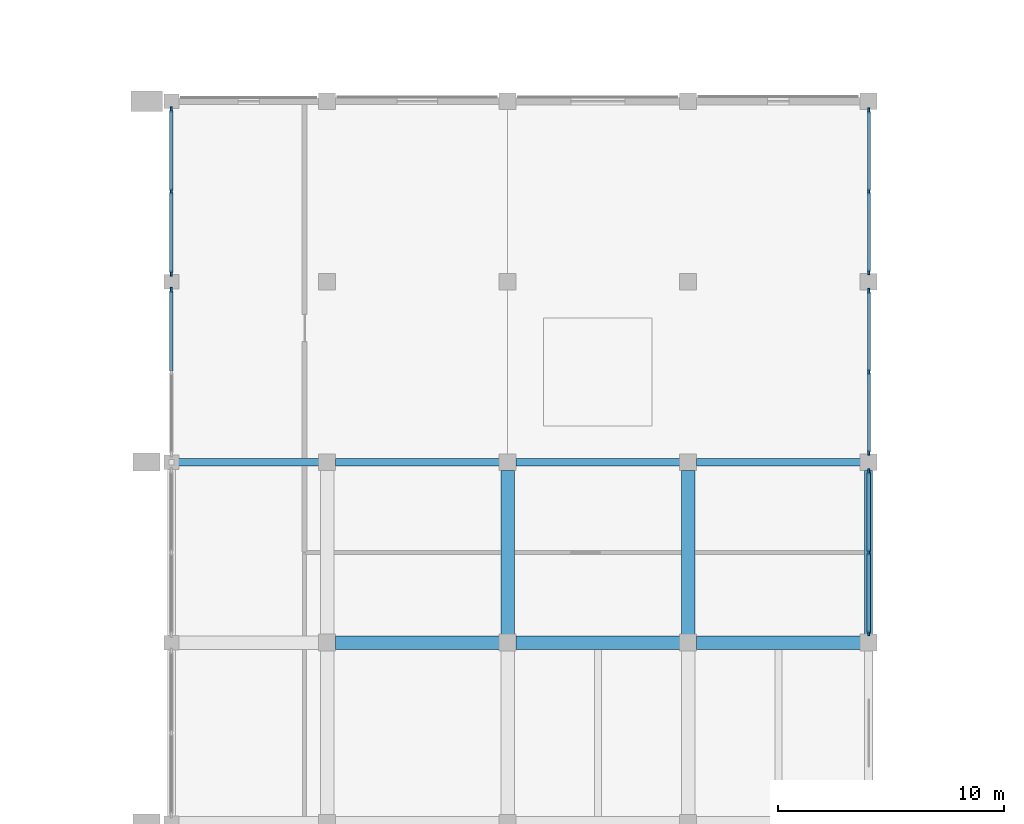
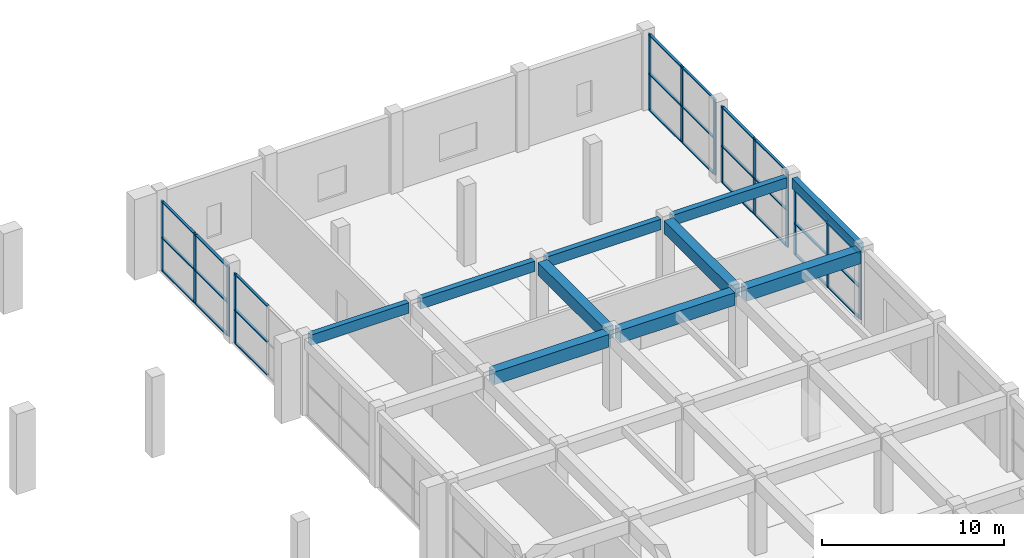
# One storey, part 41 of 86: 40 members, 10 beams, 5 elements without a shape of their own.
"""IFC4 building model written with IfcOpenShell, lengths in metres."""

from ifc_helpers import new_model, si_unit, direction, frame, origin, origin_2d, place, context, subcontext, project, spatial, rectangle, extrude, material, material_profile, profile_set, type_object, element, aggregate, save


model = new_model("IFC4")

# Units and contexts
model_context = context("Model", 3, precision=1e-05, world=origin(), true_north=direction((0.0, 1.0)))
body_context = subcontext(model_context, "Body", "Model", "MODEL_VIEW")
ifc_project = project(units=[si_unit("LENGTHUNIT", "METRE"), si_unit("AREAUNIT", "SQUARE_METRE"), si_unit("VOLUMEUNIT", "CUBIC_METRE"), si_unit("PLANEANGLEUNIT", "RADIAN"), si_unit("MASSUNIT", "GRAM", prefix="KILO")], contexts=[model_context])

# Site, building, storey
site_placement = place(None, origin())
site = spatial("IfcSite", under=ifc_project, at=site_placement, CompositionType="ELEMENT")
building_placement = place(site_placement, origin())
building = spatial("IfcBuilding", under=site, at=building_placement, Name="Kenh Van Central Station", CompositionType="ELEMENT")
storey_placement = place(building_placement, origin())
storey = spatial("IfcBuildingStorey", under=building, at=storey_placement, Name="L00", CompositionType="ELEMENT", Elevation=0.0)

# Beams
ifc_material_1 = material(Name="Concrete C35/45", Category="concrete")
ifc_material_profile_1 = material_profile(ifc_material_1, rectangle(XDim=0.60009765625, YDim=0.85009765625, at=origin_2d()), Name="RC 600x850")
ifc_profile_set_1 = profile_set([ifc_material_profile_1], Name="Concrete C35/45")
beam_type_1 = type_object("IfcBeamType", Name="BM-RC-600x850", PredefinedType="BEAM", material=ifc_profile_set_1)
for number, where, z_axis, x_axis, name in (
    (1, (152.364990234375, 88.0, 4.695068359375), (1.0, 0.0, 0.0), (0.0, 1.0, 0.0), "L00 beam 0459"),
    (2, (160.364990234375, 88.0, 4.695068359375), (1.0, 0.0, 0.0), (0.0, 1.0, 0.0), "L00 beam 0460"),
    (3, (168.364990234375, 88.0, 4.695068359375), (1.0, 0.0, 0.0), (0.0, 1.0, 0.0), "L00 beam 0461"),
    (4, (160.0, 88.364990234375, 4.695068359375), (0.0, 1.0, 0.0), (-1.0, 0.0, 0.0), "L00 beam 0565"),
    (5, (168.0, 88.364990234375, 4.695068359375), (0.0, 1.0, 0.0), (-1.0, 0.0, 0.0), "L00 beam 0576"),
):
    element("IfcBeam", number, at=place(storey_placement, frame(where, z_axis=z_axis, x_axis=x_axis)), inside=storey, type_object=beam_type_1, Name=name, PredefinedType="BEAM", context=body_context, shape_type="SweptSolid", body=[
        extrude(rectangle(XDim=0.60009765625, YDim=0.85009765625, at=origin_2d()), origin(), (0.0, 0.0, 1.0), 7.27001953125),
    ])

# Curtain wall, members
ifc_material_2 = material(Name="Champagne anodised aluminium", Category="aluminium")
curtain_wall_type_1 = type_object("IfcCurtainWallType", Name="CW-OPER-A", PredefinedType="NOTDEFINED", material=ifc_material_2)
curtain_wall_1_placement = place(storey_placement, origin())
curtain_wall_1 = element("IfcCurtainWall", 6, at=curtain_wall_1_placement, inside=storey, type_object=curtain_wall_type_1, Name="L00 curtain wall 060", PredefinedType="NOTDEFINED")
ifc_material_profile_2 = material_profile(ifc_material_2, rectangle(XDim=0.087890625, YDim=0.239990234375, at=origin_2d()), Name="AL 88x240")
ifc_profile_set_2 = profile_set([ifc_material_profile_2], Name="Champagne anodised aluminium")
member_type_1 = type_object("IfcMemberType", Name="CWM-60x140", PredefinedType="MULLION", material=ifc_profile_set_2)
member_1_placement = place(storey_placement, frame((176.0, 88.4189453125, 0.0), z_axis=(0.0, 0.0, 1.0), x_axis=(-1.0, 0.0, 0.0)))
member_1 = element("IfcMember", 7, at=member_1_placement, type_object=member_type_1, Name="CW-07 mullion 1", PredefinedType="MULLION", context=body_context, shape_type="SweptSolid", body=[
    extrude(rectangle(XDim=0.087890625, YDim=0.239990234375, at=origin_2d()), origin(), (0.0, 0.0, 1.0), 4.419921875),
])
member_2_placement = place(storey_placement, frame((176.0, 92.0, 0.0), z_axis=(0.0, 0.0, 1.0), x_axis=(-1.0, 0.0, 0.0)))
member_2 = element("IfcMember", 8, at=member_2_placement, type_object=member_type_1, Name="CW-07 mullion 2", PredefinedType="MULLION", context=body_context, shape_type="SweptSolid", body=[
    extrude(rectangle(XDim=0.087890625, YDim=0.239990234375, at=origin_2d()), origin(), (0.0, 0.0, 1.0), 4.419921875),
])
member_3_placement = place(storey_placement, frame((176.0, 95.5810546875, 0.0), z_axis=(0.0, 0.0, 1.0), x_axis=(-1.0, 0.0, 0.0)))
member_3 = element("IfcMember", 9, at=member_3_placement, type_object=member_type_1, Name="CW-07 mullion 3", PredefinedType="MULLION", context=body_context, shape_type="SweptSolid", body=[
    extrude(rectangle(XDim=0.087890625, YDim=0.239990234375, at=origin_2d()), origin(), (0.0, 0.0, 1.0), 4.419921875),
])

curtain_wall_2_placement = place(storey_placement, origin())
curtain_wall_2 = element("IfcCurtainWall", 10, at=curtain_wall_2_placement, inside=storey, type_object=curtain_wall_type_1, Name="L00 curtain wall 061", PredefinedType="NOTDEFINED")
member_4_placement = place(storey_placement, frame((176.0, 96.4189453125, 0.0), z_axis=(0.0, 0.0, 1.0), x_axis=(-1.0, 0.0, 0.0)))
member_4 = element("IfcMember", 11, at=member_4_placement, type_object=member_type_1, Name="CW-07 mullion 1", PredefinedType="MULLION", context=body_context, shape_type="SweptSolid", body=[
    extrude(rectangle(XDim=0.087890625, YDim=0.239990234375, at=origin_2d()), origin(), (0.0, 0.0, 1.0), 5.10009765625),
])
member_5_placement = place(storey_placement, frame((176.0, 100.0, 0.0), z_axis=(0.0, 0.0, 1.0), x_axis=(-1.0, 0.0, 0.0)))
member_5 = element("IfcMember", 12, at=member_5_placement, type_object=member_type_1, Name="CW-07 mullion 2", PredefinedType="MULLION", context=body_context, shape_type="SweptSolid", body=[
    extrude(rectangle(XDim=0.087890625, YDim=0.239990234375, at=origin_2d()), origin(), (0.0, 0.0, 1.0), 5.10009765625),
])
member_6_placement = place(storey_placement, frame((176.0, 103.5810546875, 0.0), z_axis=(0.0, 0.0, 1.0), x_axis=(-1.0, 0.0, 0.0)))
member_6 = element("IfcMember", 13, at=member_6_placement, type_object=member_type_1, Name="CW-07 mullion 3", PredefinedType="MULLION", context=body_context, shape_type="SweptSolid", body=[
    extrude(rectangle(XDim=0.087890625, YDim=0.239990234375, at=origin_2d()), origin(), (0.0, 0.0, 1.0), 5.10009765625),
])

curtain_wall_3_placement = place(storey_placement, origin())
curtain_wall_3 = element("IfcCurtainWall", 14, at=curtain_wall_3_placement, inside=storey, type_object=curtain_wall_type_1, Name="L00 curtain wall 062", PredefinedType="NOTDEFINED")
member_7_placement = place(storey_placement, frame((176.0, 104.4189453125, 0.0), z_axis=(0.0, 0.0, 1.0), x_axis=(-1.0, 0.0, 0.0)))
member_7 = element("IfcMember", 15, at=member_7_placement, type_object=member_type_1, Name="CW-07 mullion 1", PredefinedType="MULLION", context=body_context, shape_type="SweptSolid", body=[
    extrude(rectangle(XDim=0.087890625, YDim=0.239990234375, at=origin_2d()), origin(), (0.0, 0.0, 1.0), 5.10009765625),
])
member_8_placement = place(storey_placement, frame((176.0, 108.0, 0.0), z_axis=(0.0, 0.0, 1.0), x_axis=(-1.0, 0.0, 0.0)))
member_8 = element("IfcMember", 16, at=member_8_placement, type_object=member_type_1, Name="CW-07 mullion 2", PredefinedType="MULLION", context=body_context, shape_type="SweptSolid", body=[
    extrude(rectangle(XDim=0.087890625, YDim=0.239990234375, at=origin_2d()), origin(), (0.0, 0.0, 1.0), 5.10009765625),
])
member_9_placement = place(storey_placement, frame((176.0, 111.5810546875, 0.0), z_axis=(0.0, 0.0, 1.0), x_axis=(-1.0, 0.0, 0.0)))
member_9 = element("IfcMember", 17, at=member_9_placement, type_object=member_type_1, Name="CW-07 mullion 3", PredefinedType="MULLION", context=body_context, shape_type="SweptSolid", body=[
    extrude(rectangle(XDim=0.087890625, YDim=0.239990234375, at=origin_2d()), origin(), (0.0, 0.0, 1.0), 5.10009765625),
])

curtain_wall_type_2 = type_object("IfcCurtainWallType", Name="CW-OPER-B", PredefinedType="NOTDEFINED", material=ifc_material_2)
curtain_wall_4_placement = place(storey_placement, origin())
curtain_wall_4 = element("IfcCurtainWall", 18, at=curtain_wall_4_placement, inside=storey, type_object=curtain_wall_type_2, Name="L00 curtain wall 063", PredefinedType="NOTDEFINED")
member_10_placement = place(storey_placement, frame((145.10009765625, 111.631103515625, 0.0), z_axis=(0.0, 0.0, 1.0), x_axis=(1.0, 0.0, 0.0)))
member_10 = element("IfcMember", 19, at=member_10_placement, type_object=member_type_1, Name="CW-08 mullion 1", PredefinedType="MULLION", context=body_context, shape_type="SweptSolid", body=[
    extrude(rectangle(XDim=0.087890625, YDim=0.239990234375, at=origin_2d()), origin(), (0.0, 0.0, 1.0), 4.67529296875),
])
member_11_placement = place(storey_placement, frame((145.10009765625, 108.0, 0.0), z_axis=(0.0, 0.0, 1.0), x_axis=(1.0, 0.0, 0.0)))
member_11 = element("IfcMember", 20, at=member_11_placement, type_object=member_type_1, Name="CW-08 mullion 2", PredefinedType="MULLION", context=body_context, shape_type="SweptSolid", body=[
    extrude(rectangle(XDim=0.087890625, YDim=0.239990234375, at=origin_2d()), origin(), (0.0, 0.0, 1.0), 4.67529296875),
])
member_12_placement = place(storey_placement, frame((145.10009765625, 104.368896484375, 0.0), z_axis=(0.0, 0.0, 1.0), x_axis=(1.0, 0.0, 0.0)))
member_12 = element("IfcMember", 21, at=member_12_placement, type_object=member_type_1, Name="CW-08 mullion 3", PredefinedType="MULLION", context=body_context, shape_type="SweptSolid", body=[
    extrude(rectangle(XDim=0.087890625, YDim=0.239990234375, at=origin_2d()), origin(), (0.0, 0.0, 1.0), 4.67529296875),
])

# Curtain wall, member
curtain_wall_5_placement = place(storey_placement, origin())
curtain_wall_5 = element("IfcCurtainWall", 22, at=curtain_wall_5_placement, inside=storey, type_object=curtain_wall_type_2, Name="L00 curtain wall 064", PredefinedType="NOTDEFINED")
member_13_placement = place(storey_placement, frame((145.10009765625, 103.631103515625, 0.0), z_axis=(0.0, 0.0, 1.0), x_axis=(1.0, 0.0, 0.0)))
member_13 = element("IfcMember", 23, at=member_13_placement, type_object=member_type_1, Name="CW-08 mullion 1", PredefinedType="MULLION", context=body_context, shape_type="SweptSolid", body=[
    extrude(rectangle(XDim=0.087890625, YDim=0.239990234375, at=origin_2d()), origin(), (0.0, 0.0, 1.0), 4.67529296875),
])

# Member
ifc_material_profile_3 = material_profile(ifc_material_2, rectangle(XDim=0.155029296875, YDim=0.072021484375, at=origin_2d()), Name="AL 155x72")
ifc_profile_set_3 = profile_set([ifc_material_profile_3], Name="Champagne anodised aluminium")
member_type_2 = type_object("IfcMemberType", Name="CWT-120x60", PredefinedType="USERDEFINED", material=ifc_profile_set_3)
member_14_placement = place(storey_placement, frame((176.0, 88.462890625, 0.035888671875), z_axis=(0.0, 1.0, 0.0), x_axis=(-1.0, 0.0, 0.0)))
member_14 = element("IfcMember", 24, at=member_14_placement, type_object=member_type_2, Name="CW-07 transom 1.1", ObjectType="TRANSOM", PredefinedType="USERDEFINED", context=body_context, shape_type="SweptSolid", body=[
    extrude(rectangle(XDim=0.155029296875, YDim=0.072021484375, at=origin_2d()), origin(), (0.0, 0.0, 1.0), 3.4931640625),
])

member_15_placement = place(storey_placement, frame((176.0, 88.462890625, 2.12158203125), z_axis=(0.0, 1.0, 0.0), x_axis=(-1.0, 0.0, 0.0)))
member_15 = element("IfcMember", 25, at=member_15_placement, type_object=member_type_2, Name="CW-07 transom 1.2", ObjectType="TRANSOM", PredefinedType="USERDEFINED", context=body_context, shape_type="SweptSolid", body=[
    extrude(rectangle(XDim=0.155029296875, YDim=0.072021484375, at=origin_2d()), origin(), (0.0, 0.0, 1.0), 3.4931640625),
])

member_16_placement = place(storey_placement, frame((176.0, 88.462890625, 4.384033203125), z_axis=(0.0, 1.0, 0.0), x_axis=(-1.0, 0.0, 0.0)))
member_16 = element("IfcMember", 26, at=member_16_placement, type_object=member_type_2, Name="CW-07 transom 1.3", ObjectType="TRANSOM", PredefinedType="USERDEFINED", context=body_context, shape_type="SweptSolid", body=[
    extrude(rectangle(XDim=0.155029296875, YDim=0.072021484375, at=origin_2d()), origin(), (0.0, 0.0, 1.0), 3.4931640625),
])

member_17_placement = place(storey_placement, frame((176.0, 92.0439453125, 0.035888671875), z_axis=(0.0, 1.0, 0.0), x_axis=(-1.0, 0.0, 0.0)))
member_17 = element("IfcMember", 27, at=member_17_placement, type_object=member_type_2, Name="CW-07 transom 2.1", ObjectType="TRANSOM", PredefinedType="USERDEFINED", context=body_context, shape_type="SweptSolid", body=[
    extrude(rectangle(XDim=0.155029296875, YDim=0.072021484375, at=origin_2d()), origin(), (0.0, 0.0, 1.0), 3.4931640625),
])

member_18_placement = place(storey_placement, frame((176.0, 92.0439453125, 2.12158203125), z_axis=(0.0, 1.0, 0.0), x_axis=(-1.0, 0.0, 0.0)))
member_18 = element("IfcMember", 28, at=member_18_placement, type_object=member_type_2, Name="CW-07 transom 2.2", ObjectType="TRANSOM", PredefinedType="USERDEFINED", context=body_context, shape_type="SweptSolid", body=[
    extrude(rectangle(XDim=0.155029296875, YDim=0.072021484375, at=origin_2d()), origin(), (0.0, 0.0, 1.0), 3.4931640625),
])

member_19_placement = place(storey_placement, frame((176.0, 92.0439453125, 4.384033203125), z_axis=(0.0, 1.0, 0.0), x_axis=(-1.0, 0.0, 0.0)))
member_19 = element("IfcMember", 29, at=member_19_placement, type_object=member_type_2, Name="CW-07 transom 2.3", ObjectType="TRANSOM", PredefinedType="USERDEFINED", context=body_context, shape_type="SweptSolid", body=[
    extrude(rectangle(XDim=0.155029296875, YDim=0.072021484375, at=origin_2d()), origin(), (0.0, 0.0, 1.0), 3.4931640625),
])

aggregate(curtain_wall_1, [member_1, member_2, member_3, member_14, member_15, member_16, member_17, member_18, member_19])

member_20_placement = place(storey_placement, frame((176.0, 96.462890625, 0.035888671875), z_axis=(0.0, 1.0, 0.0), x_axis=(-1.0, 0.0, 0.0)))
member_20 = element("IfcMember", 30, at=member_20_placement, type_object=member_type_2, Name="CW-07 transom 1.1", ObjectType="TRANSOM", PredefinedType="USERDEFINED", context=body_context, shape_type="SweptSolid", body=[
    extrude(rectangle(XDim=0.155029296875, YDim=0.072021484375, at=origin_2d()), origin(), (0.0, 0.0, 1.0), 3.4931640625),
])

member_21_placement = place(storey_placement, frame((176.0, 96.462890625, 2.447998046875), z_axis=(0.0, 1.0, 0.0), x_axis=(-1.0, 0.0, 0.0)))
member_21 = element("IfcMember", 31, at=member_21_placement, type_object=member_type_2, Name="CW-07 transom 1.2", ObjectType="TRANSOM", PredefinedType="USERDEFINED", context=body_context, shape_type="SweptSolid", body=[
    extrude(rectangle(XDim=0.155029296875, YDim=0.072021484375, at=origin_2d()), origin(), (0.0, 0.0, 1.0), 3.4931640625),
])

member_22_placement = place(storey_placement, frame((176.0, 96.462890625, 5.06396484375), z_axis=(0.0, 1.0, 0.0), x_axis=(-1.0, 0.0, 0.0)))
member_22 = element("IfcMember", 32, at=member_22_placement, type_object=member_type_2, Name="CW-07 transom 1.3", ObjectType="TRANSOM", PredefinedType="USERDEFINED", context=body_context, shape_type="SweptSolid", body=[
    extrude(rectangle(XDim=0.155029296875, YDim=0.072021484375, at=origin_2d()), origin(), (0.0, 0.0, 1.0), 3.4931640625),
])

member_23_placement = place(storey_placement, frame((176.0, 100.0439453125, 0.035888671875), z_axis=(0.0, 1.0, 0.0), x_axis=(-1.0, 0.0, 0.0)))
member_23 = element("IfcMember", 33, at=member_23_placement, type_object=member_type_2, Name="CW-07 transom 2.1", ObjectType="TRANSOM", PredefinedType="USERDEFINED", context=body_context, shape_type="SweptSolid", body=[
    extrude(rectangle(XDim=0.155029296875, YDim=0.072021484375, at=origin_2d()), origin(), (0.0, 0.0, 1.0), 3.4931640625),
])

member_24_placement = place(storey_placement, frame((176.0, 100.0439453125, 2.447998046875), z_axis=(0.0, 1.0, 0.0), x_axis=(-1.0, 0.0, 0.0)))
member_24 = element("IfcMember", 34, at=member_24_placement, type_object=member_type_2, Name="CW-07 transom 2.2", ObjectType="TRANSOM", PredefinedType="USERDEFINED", context=body_context, shape_type="SweptSolid", body=[
    extrude(rectangle(XDim=0.155029296875, YDim=0.072021484375, at=origin_2d()), origin(), (0.0, 0.0, 1.0), 3.4931640625),
])

member_25_placement = place(storey_placement, frame((176.0, 100.0439453125, 5.06396484375), z_axis=(0.0, 1.0, 0.0), x_axis=(-1.0, 0.0, 0.0)))
member_25 = element("IfcMember", 35, at=member_25_placement, type_object=member_type_2, Name="CW-07 transom 2.3", ObjectType="TRANSOM", PredefinedType="USERDEFINED", context=body_context, shape_type="SweptSolid", body=[
    extrude(rectangle(XDim=0.155029296875, YDim=0.072021484375, at=origin_2d()), origin(), (0.0, 0.0, 1.0), 3.4931640625),
])

aggregate(curtain_wall_2, [member_4, member_5, member_6, member_20, member_21, member_22, member_23, member_24, member_25])

member_26_placement = place(storey_placement, frame((176.0, 104.462890625, 0.035888671875), z_axis=(0.0, 1.0, 0.0), x_axis=(-1.0, 0.0, 0.0)))
member_26 = element("IfcMember", 36, at=member_26_placement, type_object=member_type_2, Name="CW-07 transom 1.1", ObjectType="TRANSOM", PredefinedType="USERDEFINED", context=body_context, shape_type="SweptSolid", body=[
    extrude(rectangle(XDim=0.155029296875, YDim=0.072021484375, at=origin_2d()), origin(), (0.0, 0.0, 1.0), 3.4931640625),
])

member_27_placement = place(storey_placement, frame((176.0, 104.462890625, 2.447998046875), z_axis=(0.0, 1.0, 0.0), x_axis=(-1.0, 0.0, 0.0)))
member_27 = element("IfcMember", 37, at=member_27_placement, type_object=member_type_2, Name="CW-07 transom 1.2", ObjectType="TRANSOM", PredefinedType="USERDEFINED", context=body_context, shape_type="SweptSolid", body=[
    extrude(rectangle(XDim=0.155029296875, YDim=0.072021484375, at=origin_2d()), origin(), (0.0, 0.0, 1.0), 3.4931640625),
])

member_28_placement = place(storey_placement, frame((176.0, 104.462890625, 5.06396484375), z_axis=(0.0, 1.0, 0.0), x_axis=(-1.0, 0.0, 0.0)))
member_28 = element("IfcMember", 38, at=member_28_placement, type_object=member_type_2, Name="CW-07 transom 1.3", ObjectType="TRANSOM", PredefinedType="USERDEFINED", context=body_context, shape_type="SweptSolid", body=[
    extrude(rectangle(XDim=0.155029296875, YDim=0.072021484375, at=origin_2d()), origin(), (0.0, 0.0, 1.0), 3.4931640625),
])

member_29_placement = place(storey_placement, frame((176.0, 108.0439453125, 0.035888671875), z_axis=(0.0, 1.0, 0.0), x_axis=(-1.0, 0.0, 0.0)))
member_29 = element("IfcMember", 39, at=member_29_placement, type_object=member_type_2, Name="CW-07 transom 2.1", ObjectType="TRANSOM", PredefinedType="USERDEFINED", context=body_context, shape_type="SweptSolid", body=[
    extrude(rectangle(XDim=0.155029296875, YDim=0.072021484375, at=origin_2d()), origin(), (0.0, 0.0, 1.0), 3.4931640625),
])

member_30_placement = place(storey_placement, frame((176.0, 108.0439453125, 2.447998046875), z_axis=(0.0, 1.0, 0.0), x_axis=(-1.0, 0.0, 0.0)))
member_30 = element("IfcMember", 40, at=member_30_placement, type_object=member_type_2, Name="CW-07 transom 2.2", ObjectType="TRANSOM", PredefinedType="USERDEFINED", context=body_context, shape_type="SweptSolid", body=[
    extrude(rectangle(XDim=0.155029296875, YDim=0.072021484375, at=origin_2d()), origin(), (0.0, 0.0, 1.0), 3.4931640625),
])

member_31_placement = place(storey_placement, frame((176.0, 108.0439453125, 5.06396484375), z_axis=(0.0, 1.0, 0.0), x_axis=(-1.0, 0.0, 0.0)))
member_31 = element("IfcMember", 41, at=member_31_placement, type_object=member_type_2, Name="CW-07 transom 2.3", ObjectType="TRANSOM", PredefinedType="USERDEFINED", context=body_context, shape_type="SweptSolid", body=[
    extrude(rectangle(XDim=0.155029296875, YDim=0.072021484375, at=origin_2d()), origin(), (0.0, 0.0, 1.0), 3.4931640625),
])

aggregate(curtain_wall_3, [member_7, member_8, member_9, member_26, member_27, member_28, member_29, member_30, member_31])

member_32_placement = place(storey_placement, frame((145.10009765625, 111.5869140625, 0.035888671875), z_axis=(0.0, -1.0, 0.0), x_axis=(1.0, 0.0, 0.0)))
member_32 = element("IfcMember", 42, at=member_32_placement, type_object=member_type_2, Name="CW-08 transom 1.1", ObjectType="TRANSOM", PredefinedType="USERDEFINED", context=body_context, shape_type="SweptSolid", body=[
    extrude(rectangle(XDim=0.155029296875, YDim=0.072021484375, at=origin_2d()), origin(), (0.0, 0.0, 1.0), 3.54296875),
])

member_33_placement = place(storey_placement, frame((145.10009765625, 111.5869140625, 2.244140625), z_axis=(0.0, -1.0, 0.0), x_axis=(1.0, 0.0, 0.0)))
member_33 = element("IfcMember", 43, at=member_33_placement, type_object=member_type_2, Name="CW-08 transom 1.2", ObjectType="TRANSOM", PredefinedType="USERDEFINED", context=body_context, shape_type="SweptSolid", body=[
    extrude(rectangle(XDim=0.155029296875, YDim=0.072021484375, at=origin_2d()), origin(), (0.0, 0.0, 1.0), 3.54296875),
])

member_34_placement = place(storey_placement, frame((145.10009765625, 111.5869140625, 4.63916015625), z_axis=(0.0, -1.0, 0.0), x_axis=(1.0, 0.0, 0.0)))
member_34 = element("IfcMember", 44, at=member_34_placement, type_object=member_type_2, Name="CW-08 transom 1.3", ObjectType="TRANSOM", PredefinedType="USERDEFINED", context=body_context, shape_type="SweptSolid", body=[
    extrude(rectangle(XDim=0.155029296875, YDim=0.072021484375, at=origin_2d()), origin(), (0.0, 0.0, 1.0), 3.54296875),
])

member_35_placement = place(storey_placement, frame((145.10009765625, 107.9560546875, 0.035888671875), z_axis=(0.0, -1.0, 0.0), x_axis=(1.0, 0.0, 0.0)))
member_35 = element("IfcMember", 45, at=member_35_placement, type_object=member_type_2, Name="CW-08 transom 2.1", ObjectType="TRANSOM", PredefinedType="USERDEFINED", context=body_context, shape_type="SweptSolid", body=[
    extrude(rectangle(XDim=0.155029296875, YDim=0.072021484375, at=origin_2d()), origin(), (0.0, 0.0, 1.0), 3.54296875),
])

member_36_placement = place(storey_placement, frame((145.10009765625, 107.9560546875, 2.244140625), z_axis=(0.0, -1.0, 0.0), x_axis=(1.0, 0.0, 0.0)))
member_36 = element("IfcMember", 46, at=member_36_placement, type_object=member_type_2, Name="CW-08 transom 2.2", ObjectType="TRANSOM", PredefinedType="USERDEFINED", context=body_context, shape_type="SweptSolid", body=[
    extrude(rectangle(XDim=0.155029296875, YDim=0.072021484375, at=origin_2d()), origin(), (0.0, 0.0, 1.0), 3.54296875),
])

member_37_placement = place(storey_placement, frame((145.10009765625, 107.9560546875, 4.63916015625), z_axis=(0.0, -1.0, 0.0), x_axis=(1.0, 0.0, 0.0)))
member_37 = element("IfcMember", 47, at=member_37_placement, type_object=member_type_2, Name="CW-08 transom 2.3", ObjectType="TRANSOM", PredefinedType="USERDEFINED", context=body_context, shape_type="SweptSolid", body=[
    extrude(rectangle(XDim=0.155029296875, YDim=0.072021484375, at=origin_2d()), origin(), (0.0, 0.0, 1.0), 3.54296875),
])

aggregate(curtain_wall_4, [member_10, member_11, member_12, member_32, member_33, member_34, member_35, member_36, member_37])

member_38_placement = place(storey_placement, frame((145.10009765625, 103.5869140625, 0.035888671875), z_axis=(0.0, -1.0, 0.0), x_axis=(1.0, 0.0, 0.0)))
member_38 = element("IfcMember", 48, at=member_38_placement, type_object=member_type_2, Name="CW-08 transom 1.1", ObjectType="TRANSOM", PredefinedType="USERDEFINED", context=body_context, shape_type="SweptSolid", body=[
    extrude(rectangle(XDim=0.155029296875, YDim=0.072021484375, at=origin_2d()), origin(), (0.0, 0.0, 1.0), 3.54296875),
])

member_39_placement = place(storey_placement, frame((145.10009765625, 103.5869140625, 2.244140625), z_axis=(0.0, -1.0, 0.0), x_axis=(1.0, 0.0, 0.0)))
member_39 = element("IfcMember", 49, at=member_39_placement, type_object=member_type_2, Name="CW-08 transom 1.2", ObjectType="TRANSOM", PredefinedType="USERDEFINED", context=body_context, shape_type="SweptSolid", body=[
    extrude(rectangle(XDim=0.155029296875, YDim=0.072021484375, at=origin_2d()), origin(), (0.0, 0.0, 1.0), 3.54296875),
])

member_40_placement = place(storey_placement, frame((145.10009765625, 103.5869140625, 4.63916015625), z_axis=(0.0, -1.0, 0.0), x_axis=(1.0, 0.0, 0.0)))
member_40 = element("IfcMember", 50, at=member_40_placement, type_object=member_type_2, Name="CW-08 transom 1.3", ObjectType="TRANSOM", PredefinedType="USERDEFINED", context=body_context, shape_type="SweptSolid", body=[
    extrude(rectangle(XDim=0.155029296875, YDim=0.072021484375, at=origin_2d()), origin(), (0.0, 0.0, 1.0), 3.54296875),
])

aggregate(curtain_wall_5, [member_13, member_38, member_39, member_40])

# Beams
ifc_material_profile_4 = material_profile(ifc_material_1, rectangle(XDim=0.35009765625, YDim=0.699951171875, at=origin_2d()), Name="RC 350x700")
ifc_profile_set_4 = profile_set([ifc_material_profile_4], Name="Concrete C35/45")
beam_type_2 = type_object("IfcBeamType", Name="SPD-RC-350x700", PredefinedType="SPANDREL", material=ifc_profile_set_4)
beam_placement = place(storey_placement, frame((145.4150390625, 96.0, 4.77001953125), z_axis=(1.0, 0.0, 0.0), x_axis=(0.0, 1.0, 0.0)))
element("IfcBeam", 51, at=beam_placement, inside=storey, type_object=beam_type_2, Name="L00 beam 0462", PredefinedType="SPANDREL", context=body_context, shape_type="SweptSolid", body=[
    extrude(rectangle(XDim=0.35009765625, YDim=0.699951171875, at=origin_2d()), origin(), (0.0, 0.0, 1.0), 6.219970703125),
])
for number, where, z_axis, x_axis, name in (
    (52, (152.364990234375, 96.0, 4.77001953125), (1.0, 0.0, 0.0), (0.0, 1.0, 0.0), "L00 beam 0463"),
    (53, (160.364990234375, 96.0, 4.77001953125), (1.0, 0.0, 0.0), (0.0, 1.0, 0.0), "L00 beam 0464"),
    (54, (168.364990234375, 96.0, 4.77001953125), (1.0, 0.0, 0.0), (0.0, 1.0, 0.0), "L00 beam 0465"),
    (55, (176.0, 88.364990234375, 4.77001953125), (0.0, 1.0, 0.0), (-1.0, 0.0, 0.0), "L00 beam 0587"),
):
    element("IfcBeam", number, at=place(storey_placement, frame(where, z_axis=z_axis, x_axis=x_axis)), inside=storey, type_object=beam_type_2, Name=name, PredefinedType="SPANDREL", context=body_context, shape_type="SweptSolid", body=[
        extrude(rectangle(XDim=0.35009765625, YDim=0.699951171875, at=origin_2d()), origin(), (0.0, 0.0, 1.0), 7.27001953125),
    ])

save(model, "model.ifc")
